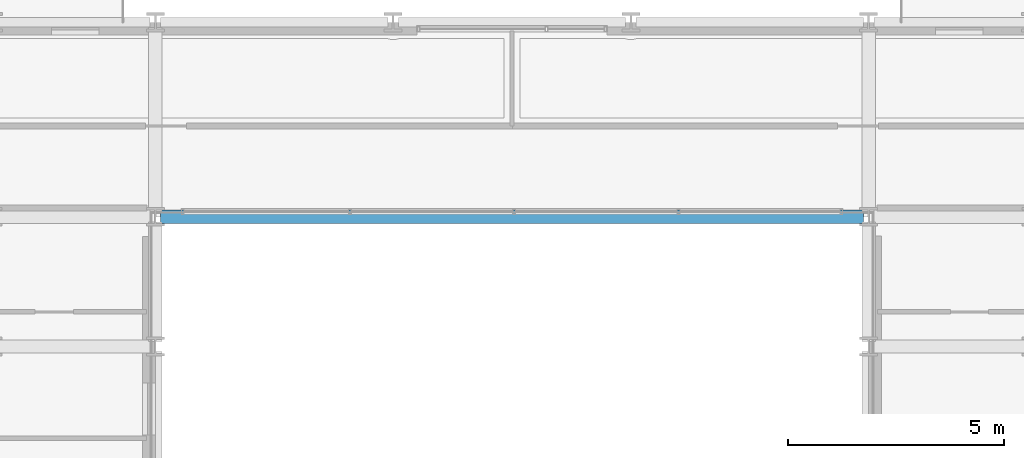
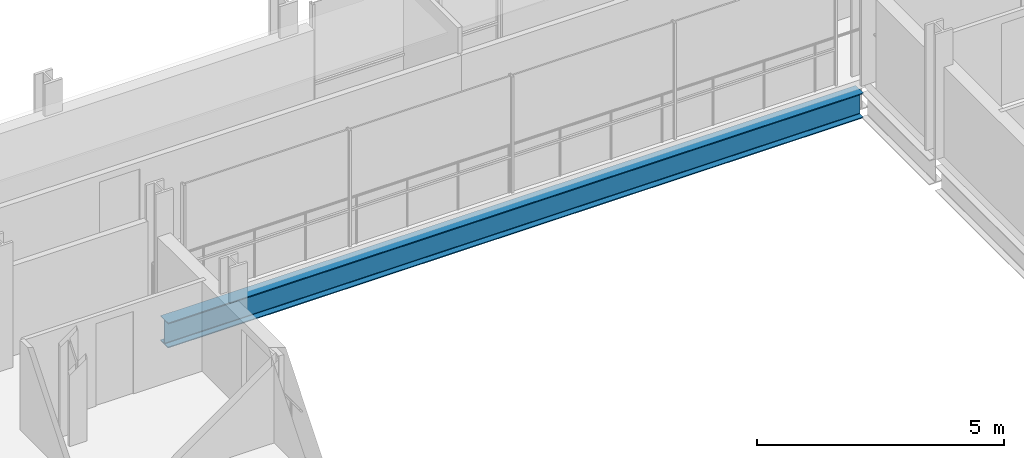
# One storey, part 10 of 41: 1 beam.
"""IFC4 building model written with IfcOpenShell, lengths in metres."""

from ifc_helpers import new_model, si_unit, direction, frame, origin, origin_2d, place, context, subcontext, project, spatial, i_section, extrude, material, material_profile, profile_set, type_object, element, save


model = new_model("IFC4")

# Units and contexts
model_context = context("Model", 3, precision=1e-05, world=origin(), true_north=direction((0.0, 1.0)))
body_context = subcontext(model_context, "Body", "Model", "MODEL_VIEW")
ifc_project = project(units=[si_unit("LENGTHUNIT", "METRE"), si_unit("AREAUNIT", "SQUARE_METRE"), si_unit("VOLUMEUNIT", "CUBIC_METRE"), si_unit("PLANEANGLEUNIT", "RADIAN"), si_unit("MASSUNIT", "GRAM", prefix="KILO")], contexts=[model_context])

# Site, building, storey
site_placement = place(None, origin())
site = spatial("IfcSite", under=ifc_project, at=site_placement, CompositionType="ELEMENT")
building_placement = place(site_placement, origin())
building = spatial("IfcBuilding", under=site, at=building_placement, Name="Brevholm Reach", CompositionType="ELEMENT")
storey_placement = place(building_placement, frame((0.0, 0.0, 68.300048828125)))
storey = spatial("IfcBuildingStorey", under=building, at=storey_placement, Name="L19", CompositionType="ELEMENT", Elevation=68.300048828125)

# Beam
ifc_material = material(Name="Structural Steel S355J2", Category="steel")
ifc_material_profile = material_profile(ifc_material, i_section(OverallWidth=0.30712890625, OverallDepth=0.6201171875, WebThickness=0.01416015625, FlangeThickness=0.023681640625, FilletRadius=0.0166015625, at=origin_2d()), Name="UKB 610x305x179")
ifc_profile_set = profile_set([ifc_material_profile], Name="Structural Steel S355J2")
beam_type = type_object("IfcBeamType", Name="BM-UKB610H", PredefinedType="USERDEFINED", material=ifc_profile_set)
beam_placement = place(storey_placement, frame((21.8701171875, 26.5, -0.5400390625), z_axis=(1.0, 0.0, 0.0), x_axis=(0.0, 1.0, 0.0)))
element("IfcBeam", 1, at=beam_placement, inside=storey, type_object=beam_type, Name="L19 G-06 Framing Beam", ObjectType="GIRDER", PredefinedType="USERDEFINED", context=body_context, shape_type="SweptSolid", body=[
    extrude(i_section(OverallWidth=0.30712890625, OverallDepth=0.6201171875, WebThickness=0.01416015625, FlangeThickness=0.023681640625, FilletRadius=0.0166015625, at=origin_2d()), origin(), (0.0, 0.0, 1.0), 16.259765625),
])

save(model, "model.ifc")
